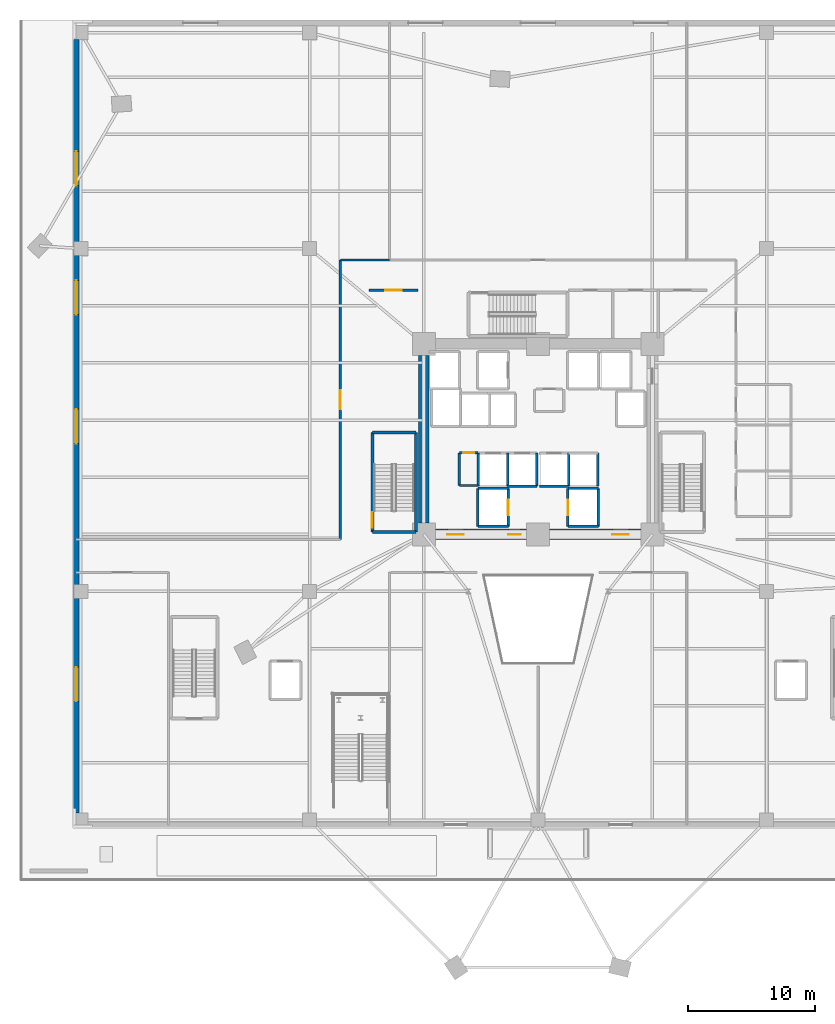
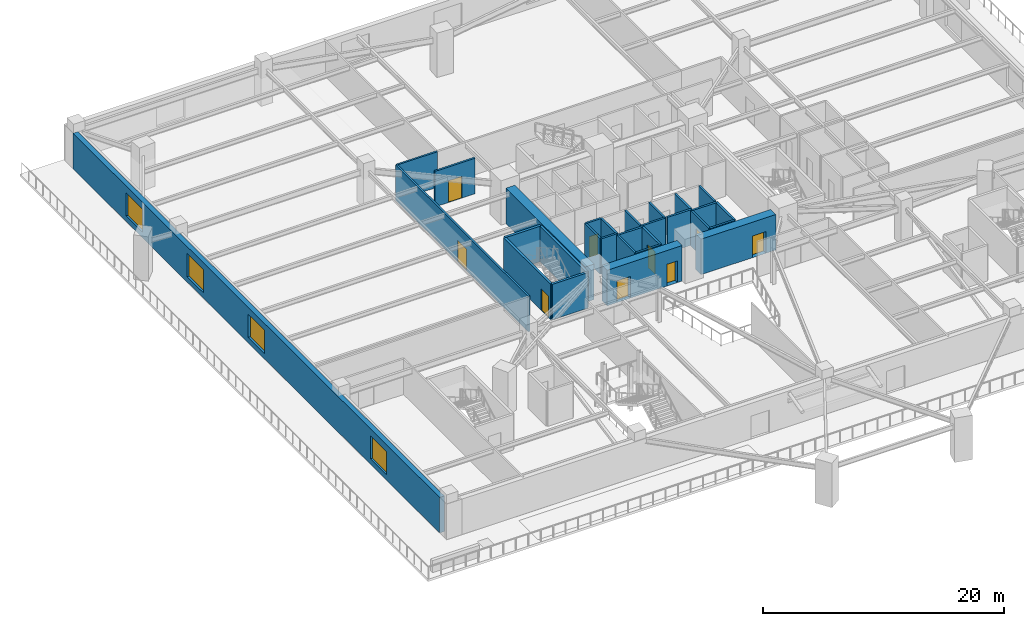
# One storey, part 8 of 19: 29 walls, 9 doors, 4 windows, 13 openings.
"""IFC4 building model written with IfcOpenShell, lengths in metres."""

from ifc_helpers import new_model, si_unit, direction, frame, frame_2d, origin, place, context, subcontext, project, spatial, rectangle, extrude, source, transform, mapped, material, layer, layer_set, type_object, element, fill, save


model = new_model("IFC4")

# Units and contexts
model_context = context("Model", 3, precision=1e-05, world=origin(), true_north=direction((0.0, 1.0)))
body_context = subcontext(model_context, "Body", "Model", "MODEL_VIEW")
ifc_project = project(units=[si_unit("LENGTHUNIT", "METRE"), si_unit("AREAUNIT", "SQUARE_METRE"), si_unit("VOLUMEUNIT", "CUBIC_METRE"), si_unit("PLANEANGLEUNIT", "RADIAN"), si_unit("MASSUNIT", "GRAM", prefix="KILO")], contexts=[model_context])

# Site, building, storey
site_placement = place(None, origin())
site = spatial("IfcSite", under=ifc_project, at=site_placement, CompositionType="ELEMENT")
building_placement = place(site_placement, origin())
building = spatial("IfcBuilding", under=site, at=building_placement, Name="Liaohun Quay Tower", CompositionType="ELEMENT")
storey_placement = place(building_placement, frame((0.0, 0.0, 18.89990234375)))
storey = spatial("IfcBuildingStorey", under=building, at=storey_placement, Name="L05", CompositionType="ELEMENT", Elevation=18.89990234375)

# Wall, opening, door
ifc_material_1 = material(Name="Concrete C60", Category="concrete")
ifc_layer_1 = layer(ifc_material_1, 0.85009765625, Name="Concrete C60", Category="concrete")
ifc_layer_set_1 = layer_set([ifc_layer_1], Name="Concrete C60")
wall_type_1 = type_object("IfcWallType", Name="WAL-COR-Z1", PredefinedType="SHEAR", material=ifc_layer_set_1)
wall_1_placement = place(storey_placement, frame((68.10009765625, 46.5, 0.0), z_axis=(0.0, 0.0, 1.0), x_axis=(-1.0, 0.0, 0.0)))
wall_1 = element("IfcWall", 1, at=wall_1_placement, inside=storey, type_object=wall_type_1, Name="L05 Central Core Shear Wall S-E", PredefinedType="SHEAR", context=body_context, shape_type="SweptSolid", body=[
    extrude(rectangle(XDim=7.2001953125, YDim=0.85009765625, at=frame_2d((3.60009765625, 0.0))), origin(), (0.0, 0.0, 1.0), 3.60009765625),
])
shared_shape_1 = source(origin(), body_context, "Body", "SweptSolid", [
    extrude(rectangle(XDim=1.300048828125, YDim=2.199951171875, at=frame_2d((0.64990234375, 1.10009765625))), frame((0.0, 0.43505859375, 0.0), z_axis=(0.0, -1.0, 0.0), x_axis=(1.0, 0.0, 0.0)), (0.0, 0.0, 1.0), 0.8701171875),
])
opening_1_placement = place(wall_1_placement, frame((0.949951171875, 0.0, 0.0)))
opening_1 = element("IfcOpeningElement", 2, at=opening_1_placement, cuts=wall_1, Name="Opening FD1", PredefinedType="OPENING", context=body_context, shape_type="MappedRepresentation", body=[
    mapped(shared_shape_1, transform((0.0, 0.0, 0.0), x_axis=(1.0, 0.0, 0.0), y_axis=(0.0, 1.0, 0.0), z_axis=(0.0, 0.0, 1.0), scale=1.0)),
])
ifc_material_2 = material(Name="Galvanised steel smokeproof fire door", Category="steel")
door_type_1 = type_object("IfcDoorType", Name="DOR-FFL-1300", OperationType="NOTDEFINED", PredefinedType="DOOR", material=ifc_material_2)
shared_shape_2 = source(origin(), body_context, "Body", "SweptSolid", [
    extrude(rectangle(XDim=1.300048828125, YDim=2.199951171875, at=frame_2d((0.64990234375, 1.10009765625))), frame((0.0, 0.02490234375, 0.0), z_axis=(0.0, -1.0, 0.0), x_axis=(1.0, 0.0, 0.0)), (0.0, 0.0, 1.0), 0.050048828125),
])
door_1_placement = place(opening_1_placement, origin())
door_1 = element("IfcDoor", 3, at=door_1_placement, inside=storey, type_object=door_type_1, Name="L05 East Core Lift Lobby Smokeproof Door", OperationType="SINGLE_SWING_LEFT", OverallHeight=2.199951171875, OverallWidth=1.300048828125, PredefinedType="DOOR", context=body_context, shape_type="MappedRepresentation", body=[
    mapped(shared_shape_2, transform((0.0, 0.0, 0.0), x_axis=(1.0, 0.0, 0.0), y_axis=(0.0, 1.0, 0.0), z_axis=(0.0, 0.0, 1.0), scale=1.0)),
])
fill(opening_1, door_1)

# Wall, openings, doors
wall_2_placement = place(storey_placement, frame((59.10009765625, 46.5, 0.0), z_axis=(0.0, 0.0, 1.0), x_axis=(-1.0, 0.0, 0.0)))
wall_2 = element("IfcWall", 4, at=wall_2_placement, inside=storey, type_object=wall_type_1, Name="L05 Central Core Shear Wall S-W", PredefinedType="SHEAR", context=body_context, shape_type="SweptSolid", body=[
    extrude(rectangle(XDim=7.2001953125, YDim=0.85009765625, at=frame_2d((3.60009765625, 0.0))), origin(), (0.0, 0.0, 1.0), 3.60009765625),
])
opening_2_placement = place(wall_2_placement, frame((4.949951171875, 0.0, 0.0)))
opening_2 = element("IfcOpeningElement", 5, at=opening_2_placement, cuts=wall_2, Name="Opening FD1", PredefinedType="OPENING", context=body_context, shape_type="MappedRepresentation", body=[
    mapped(shared_shape_1, transform((0.0, 0.0, 0.0), x_axis=(1.0, 0.0, 0.0), y_axis=(0.0, 1.0, 0.0), z_axis=(0.0, 0.0, 1.0), scale=1.0)),
])
shared_shape_3 = source(origin(), body_context, "Body", "SweptSolid", [
    extrude(rectangle(XDim=1.0, YDim=2.199951171875, at=frame_2d((0.5, 1.10009765625))), frame((0.0, 0.43505859375, 0.0), z_axis=(0.0, -1.0, 0.0), x_axis=(1.0, 0.0, 0.0)), (0.0, 0.0, 1.0), 0.8701171875),
])
opening_3_placement = place(wall_2_placement, frame((0.449951171875, 0.0, 0.0)))
opening_3 = element("IfcOpeningElement", 6, at=opening_3_placement, cuts=wall_2, Name="Opening FD2", PredefinedType="OPENING", context=body_context, shape_type="MappedRepresentation", body=[
    mapped(shared_shape_3, transform((0.0, 0.0, 0.0), x_axis=(1.0, 0.0, 0.0), y_axis=(0.0, 1.0, 0.0), z_axis=(0.0, 0.0, 1.0), scale=1.0)),
])
door_2_placement = place(opening_2_placement, origin())
door_2 = element("IfcDoor", 7, at=door_2_placement, inside=storey, type_object=door_type_1, Name="L05 West Core Lift Lobby Smokeproof Door", OperationType="SINGLE_SWING_RIGHT", OverallHeight=2.199951171875, OverallWidth=1.300048828125, PredefinedType="DOOR", context=body_context, shape_type="MappedRepresentation", body=[
    mapped(shared_shape_2, transform((0.0, 0.0, 0.0), x_axis=(1.0, 0.0, 0.0), y_axis=(0.0, 1.0, 0.0), z_axis=(0.0, 0.0, 1.0), scale=1.0)),
])
fill(opening_2, door_2)
ifc_material_3 = material(Name="Galvanised steel smokeproof lobby fire door", Category="steel")
door_type_2 = type_object("IfcDoorType", Name="DOR-FFL-1000", OperationType="NOTDEFINED", PredefinedType="DOOR", material=ifc_material_3)
shared_shape_4 = source(origin(), body_context, "Body", "SweptSolid", [
    extrude(rectangle(XDim=1.0, YDim=2.199951171875, at=frame_2d((0.5, 1.10009765625))), frame((0.0, 0.02490234375, 0.0), z_axis=(0.0, -1.0, 0.0), x_axis=(1.0, 0.0, 0.0)), (0.0, 0.0, 1.0), 0.050048828125),
])
door_3_placement = place(opening_3_placement, origin())
door_3 = element("IfcDoor", 8, at=door_3_placement, inside=storey, type_object=door_type_2, Name="L05 South Firefighting Lobby Smokeproof Door", OperationType="SINGLE_SWING_LEFT", OverallHeight=2.199951171875, OverallWidth=1.0, PredefinedType="DOOR", context=body_context, shape_type="MappedRepresentation", body=[
    mapped(shared_shape_4, transform((0.0, 0.0, 0.0), x_axis=(1.0, 0.0, 0.0), y_axis=(0.0, 1.0, 0.0), z_axis=(0.0, 0.0, 1.0), scale=1.0)),
])
fill(opening_3, door_3)

# Wall
wall_3_placement = place(storey_placement, frame((51.0, 47.39990234375, 0.0), z_axis=(0.0, 0.0, 1.0), x_axis=(0.0, 1.0, 0.0)))
element("IfcWall", 9, at=wall_3_placement, inside=storey, type_object=wall_type_1, Name="L05 Central Core Shear Wall W", PredefinedType="SHEAR", context=body_context, shape_type="SweptSolid", body=[
    extrude(rectangle(XDim=13.2001953125, YDim=0.85009765625, at=frame_2d((6.60009765625, 0.0))), origin(), (0.0, 0.0, 1.0), 3.60009765625),
])

# Wall, openings, windows
ifc_material_4 = material(Name="Precast concrete C50 with granite facing", Category="masonry")
ifc_layer_2 = layer(ifc_material_4, 0.4599609375, Name="Precast concrete C50 with granite facing", Category="masonry")
ifc_layer_set_2 = layer_set([ifc_layer_2], Name="Precast concrete C50 with granite facing")
wall_type_2 = type_object("IfcWallType", Name="WAL-EXT-POD", PredefinedType="SOLIDWALL", material=ifc_layer_set_2)
wall_4_placement = place(storey_placement, frame((23.6298828125, 85.4599609375, 0.0), z_axis=(0.0, 0.0, 1.0), x_axis=(0.0, -1.0, 0.0)))
wall_4 = element("IfcWall", 10, at=wall_4_placement, inside=storey, type_object=wall_type_2, Name="L05 Podium Precast Facade Wall 03", PredefinedType="SOLIDWALL", context=body_context, shape_type="SweptSolid", body=[
    extrude(rectangle(XDim=60.919921875, YDim=0.4599609375, at=frame_2d((30.4599609375, 0.0))), origin(), (0.0, 0.0, 1.0), 3.60009765625),
])
shared_shape_5 = source(origin(), body_context, "Body", "SweptSolid", [
    extrude(rectangle(XDim=2.699951171875, YDim=2.35009765625, at=frame_2d((1.35009765625, 1.175048828125))), frame((0.0, 0.239990234375, 0.0), z_axis=(0.0, -1.0, 0.0), x_axis=(1.0, 0.0, 0.0)), (0.0, 0.0, 1.0), 0.47998046875),
])
opening_4_placement = place(wall_4_placement, frame((8.802978515625, 0.0, 0.550048828125)))
opening_4 = element("IfcOpeningElement", 11, at=opening_4_placement, cuts=wall_4, Name="Opening W06", PredefinedType="OPENING", context=body_context, shape_type="MappedRepresentation", body=[
    mapped(shared_shape_5, transform((0.0, 0.0, 0.0), x_axis=(1.0, 0.0, 0.0), y_axis=(0.0, 1.0, 0.0), z_axis=(0.0, 0.0, 1.0), scale=1.0)),
])
opening_5_placement = place(wall_4_placement, frame((18.95703125, 0.0, 0.550048828125)))
opening_5 = element("IfcOpeningElement", 12, at=opening_5_placement, cuts=wall_4, Name="Opening W06", PredefinedType="OPENING", context=body_context, shape_type="MappedRepresentation", body=[
    mapped(shared_shape_5, transform((0.0, 0.0, 0.0), x_axis=(1.0, 0.0, 0.0), y_axis=(0.0, 1.0, 0.0), z_axis=(0.0, 0.0, 1.0), scale=1.0)),
])
opening_6_placement = place(wall_4_placement, frame((29.110107421875, 0.0, 0.550048828125)))
opening_6 = element("IfcOpeningElement", 13, at=opening_6_placement, cuts=wall_4, Name="Opening W06", PredefinedType="OPENING", context=body_context, shape_type="MappedRepresentation", body=[
    mapped(shared_shape_5, transform((0.0, 0.0, 0.0), x_axis=(1.0, 0.0, 0.0), y_axis=(0.0, 1.0, 0.0), z_axis=(0.0, 0.0, 1.0), scale=1.0)),
])
opening_7_placement = place(wall_4_placement, frame((49.4169921875, 0.0, 0.550048828125)))
opening_7 = element("IfcOpeningElement", 14, at=opening_7_placement, cuts=wall_4, Name="Opening W06", PredefinedType="OPENING", context=body_context, shape_type="MappedRepresentation", body=[
    mapped(shared_shape_5, transform((0.0, 0.0, 0.0), x_axis=(1.0, 0.0, 0.0), y_axis=(0.0, 1.0, 0.0), z_axis=(0.0, 0.0, 1.0), scale=1.0)),
])
ifc_material_5 = material(Name="Triple Low-E waterfront podium glazing", Category="glass")
window_type = type_object("IfcWindowType", Name="WIN-POD-ARC", PartitioningType="TRIPLE_PANEL_VERTICAL", PredefinedType="WINDOW", material=ifc_material_5)
shared_shape_6 = source(origin(), body_context, "Body", "SweptSolid", [
    extrude(rectangle(XDim=2.699951171875, YDim=2.35009765625, at=frame_2d((1.35009765625, 1.175048828125))), frame((0.0, 0.030029296875, 0.0), z_axis=(0.0, -1.0, 0.0), x_axis=(1.0, 0.0, 0.0)), (0.0, 0.0, 1.0), 0.06005859375),
])
window_1_placement = place(opening_4_placement, origin())
window_1 = element("IfcWindow", 15, at=window_1_placement, inside=storey, type_object=window_type, Name="L05 Podium Punched Window W06-03-01", OverallHeight=2.35009765625, OverallWidth=2.699951171875, PartitioningType="TRIPLE_PANEL_VERTICAL", PredefinedType="WINDOW", context=body_context, shape_type="MappedRepresentation", body=[
    mapped(shared_shape_6, transform((0.0, 0.0, 0.0), x_axis=(1.0, 0.0, 0.0), y_axis=(0.0, 1.0, 0.0), z_axis=(0.0, 0.0, 1.0), scale=1.0)),
])
fill(opening_4, window_1)
window_2_placement = place(opening_5_placement, origin())
window_2 = element("IfcWindow", 16, at=window_2_placement, inside=storey, type_object=window_type, Name="L05 Podium Punched Window W06-03-02", OverallHeight=2.35009765625, OverallWidth=2.699951171875, PartitioningType="TRIPLE_PANEL_VERTICAL", PredefinedType="WINDOW", context=body_context, shape_type="MappedRepresentation", body=[
    mapped(shared_shape_6, transform((0.0, 0.0, 0.0), x_axis=(1.0, 0.0, 0.0), y_axis=(0.0, 1.0, 0.0), z_axis=(0.0, 0.0, 1.0), scale=1.0)),
])
fill(opening_5, window_2)
window_3_placement = place(opening_6_placement, origin())
window_3 = element("IfcWindow", 17, at=window_3_placement, inside=storey, type_object=window_type, Name="L05 Podium Punched Window W06-03-03", OverallHeight=2.35009765625, OverallWidth=2.699951171875, PartitioningType="TRIPLE_PANEL_VERTICAL", PredefinedType="WINDOW", context=body_context, shape_type="MappedRepresentation", body=[
    mapped(shared_shape_6, transform((0.0, 0.0, 0.0), x_axis=(1.0, 0.0, 0.0), y_axis=(0.0, 1.0, 0.0), z_axis=(0.0, 0.0, 1.0), scale=1.0)),
])
fill(opening_6, window_3)
window_4_placement = place(opening_7_placement, origin())
window_4 = element("IfcWindow", 18, at=window_4_placement, inside=storey, type_object=window_type, Name="L05 Podium Punched Window W06-03-05", OverallHeight=2.35009765625, OverallWidth=2.699951171875, PartitioningType="TRIPLE_PANEL_VERTICAL", PredefinedType="WINDOW", context=body_context, shape_type="MappedRepresentation", body=[
    mapped(shared_shape_6, transform((0.0, 0.0, 0.0), x_axis=(1.0, 0.0, 0.0), y_axis=(0.0, 1.0, 0.0), z_axis=(0.0, 0.0, 1.0), scale=1.0)),
])
fill(opening_7, window_4)

# Wall, opening, door
ifc_material_6 = material(Name="Autoclaved aerated concrete blockwork", Category="masonry")
ifc_layer_3 = layer(ifc_material_6, 0.179931640625, Name="Autoclaved aerated concrete blockwork", Category="masonry")
ifc_layer_set_3 = layer_set([ifc_layer_3], Name="Autoclaved aerated concrete blockwork")
wall_type_3 = type_object("IfcWallType", Name="WAL-PRT-COR", PredefinedType="PARTITIONING", material=ifc_layer_set_3)
wall_5_placement = place(storey_placement, frame((53.820068359375, 52.919921875, 0.0), z_axis=(0.0, 0.0, 1.0), x_axis=(1.0, 0.0, 0.0)))
wall_5 = element("IfcWall", 19, at=wall_5_placement, inside=storey, type_object=wall_type_3, Name="L05 Interior Partition Wall 002", PredefinedType="PARTITIONING", context=body_context, shape_type="SweptSolid", body=[
    extrude(rectangle(XDim=1.429931640625, YDim=0.179931640625, at=frame_2d((0.71484375, 0.0))), origin(), (0.0, 0.0, 1.0), 3.60009765625),
])
shared_shape_7 = source(origin(), body_context, "Body", "SweptSolid", [
    extrude(rectangle(XDim=0.85009765625, YDim=2.10009765625, at=frame_2d((0.425048828125, 1.050048828125))), frame((0.0, 0.099853515625, 0.0), z_axis=(0.0, -1.0, 0.0), x_axis=(1.0, 0.0, 0.0)), (0.0, 0.0, 1.0), 0.199951171875),
])
opening_8_placement = place(wall_5_placement, frame((0.2900390625, 0.0, 0.0)))
opening_8 = element("IfcOpeningElement", 20, at=opening_8_placement, cuts=wall_5, Name="Opening AD1", PredefinedType="OPENING", context=body_context, shape_type="MappedRepresentation", body=[
    mapped(shared_shape_7, transform((0.0, 0.0, 0.0), x_axis=(1.0, 0.0, 0.0), y_axis=(0.0, 1.0, 0.0), z_axis=(0.0, 0.0, 1.0), scale=1.0)),
])
ifc_material_7 = material(Name="Steel riser inspection fire door", Category="steel")
door_type_3 = type_object("IfcDoorType", Name="DOR-SHF-850", OperationType="NOTDEFINED", PredefinedType="DOOR", material=ifc_material_7)
shared_shape_8 = source(origin(), body_context, "Body", "SweptSolid", [
    extrude(rectangle(XDim=0.85009765625, YDim=2.10009765625, at=frame_2d((0.425048828125, 1.050048828125))), frame((0.0, 0.02490234375, 0.0), z_axis=(0.0, -1.0, 0.0), x_axis=(1.0, 0.0, 0.0)), (0.0, 0.0, 1.0), 0.050048828125),
])
door_4_placement = place(opening_8_placement, origin())
door_4 = element("IfcDoor", 21, at=door_4_placement, inside=storey, type_object=door_type_3, Name="L05 Mechanical Smoke Duct Room Door", OperationType="SINGLE_SWING_LEFT", OverallHeight=2.10009765625, OverallWidth=0.85009765625, PredefinedType="DOOR", context=body_context, shape_type="MappedRepresentation", body=[
    mapped(shared_shape_8, transform((0.0, 0.0, 0.0), x_axis=(1.0, 0.0, 0.0), y_axis=(0.0, 1.0, 0.0), z_axis=(0.0, 0.0, 1.0), scale=1.0)),
])
fill(opening_8, door_4)

wall_6_placement = place(storey_placement, frame((46.699951171875, 65.719970703125, 0.0), z_axis=(0.0, 0.0, 1.0), x_axis=(1.0, 0.0, 0.0)))
wall_6 = element("IfcWall", 22, at=wall_6_placement, inside=storey, type_object=wall_type_3, Name="L05 Interior Partition Wall 008", PredefinedType="PARTITIONING", context=body_context, shape_type="SweptSolid", body=[
    extrude(rectangle(XDim=3.840087890625, YDim=0.179931640625, at=frame_2d((1.919921875, 0.0))), origin(), (0.0, 0.0, 1.0), 3.60009765625),
])
shared_shape_9 = source(origin(), body_context, "Body", "SweptSolid", [
    extrude(rectangle(XDim=1.300048828125, YDim=2.199951171875, at=frame_2d((0.64990234375, 1.10009765625))), frame((0.0, 0.099853515625, 0.0), z_axis=(0.0, -1.0, 0.0), x_axis=(1.0, 0.0, 0.0)), (0.0, 0.0, 1.0), 0.199951171875),
])
opening_9_placement = place(wall_6_placement, frame((1.27001953125, 0.0, 0.0)))
opening_9 = element("IfcOpeningElement", 23, at=opening_9_placement, cuts=wall_6, Name="Opening FD1", PredefinedType="OPENING", context=body_context, shape_type="MappedRepresentation", body=[
    mapped(shared_shape_9, transform((0.0, 0.0, 0.0), x_axis=(1.0, 0.0, 0.0), y_axis=(0.0, 1.0, 0.0), z_axis=(0.0, 0.0, 1.0), scale=1.0)),
])
door_5_placement = place(opening_9_placement, origin())
door_5 = element("IfcDoor", 24, at=door_5_placement, inside=storey, type_object=door_type_1, Name="L05 Podium West Core Vestibule Door", OperationType="SINGLE_SWING_LEFT", OverallHeight=2.199951171875, OverallWidth=1.300048828125, PredefinedType="DOOR", context=body_context, shape_type="MappedRepresentation", body=[
    mapped(shared_shape_2, transform((0.0, 0.0, 0.0), x_axis=(1.0, 0.0, 0.0), y_axis=(0.0, 1.0, 0.0), z_axis=(0.0, 0.0, 1.0), scale=1.0)),
])
fill(opening_9, door_5)

wall_7_placement = place(storey_placement, frame((44.419921875, 46.10009765625, 0.0), z_axis=(0.0, 0.0, 1.0), x_axis=(0.0, 1.0, 0.0)))
wall_7 = element("IfcWall", 25, at=wall_7_placement, inside=storey, type_object=wall_type_3, Name="L05 Interior Partition Wall 014", PredefinedType="PARTITIONING", context=body_context, shape_type="SweptSolid", body=[
    extrude(rectangle(XDim=22.0, YDim=0.179931640625, at=frame_2d((11.0, 0.0))), origin(), (0.0, 0.0, 1.0), 3.60009765625),
])
shared_shape_10 = source(origin(), body_context, "Body", "SweptSolid", [
    extrude(rectangle(XDim=1.5, YDim=2.199951171875, at=frame_2d((0.75, 1.10009765625))), frame((0.0, 0.099853515625, 0.0), z_axis=(0.0, -1.0, 0.0), x_axis=(1.0, 0.0, 0.0)), (0.0, 0.0, 1.0), 0.199951171875),
])
opening_10_placement = place(wall_7_placement, frame((10.25, 0.0, 0.0)))
opening_10 = element("IfcOpeningElement", 26, at=opening_10_placement, cuts=wall_7, Name="Opening OD2", PredefinedType="OPENING", context=body_context, shape_type="MappedRepresentation", body=[
    mapped(shared_shape_10, transform((0.0, 0.0, 0.0), x_axis=(1.0, 0.0, 0.0), y_axis=(0.0, 1.0, 0.0), z_axis=(0.0, 0.0, 1.0), scale=1.0)),
])
ifc_material_8 = material(Name="Acoustic oak veneer double door")
door_type_4 = type_object("IfcDoorType", Name="DOR-OFF-1500", OperationType="DOUBLE_DOOR_SINGLE_SWING", PredefinedType="DOOR", material=ifc_material_8)
shared_shape_11 = source(origin(), body_context, "Body", "SweptSolid", [
    extrude(rectangle(XDim=1.5, YDim=2.199951171875, at=frame_2d((0.75, 1.10009765625))), frame((0.0, 0.02490234375, 0.0), z_axis=(0.0, -1.0, 0.0), x_axis=(1.0, 0.0, 0.0)), (0.0, 0.0, 1.0), 0.050048828125),
])
door_6_placement = place(opening_10_placement, origin())
door_6 = element("IfcDoor", 27, at=door_6_placement, inside=storey, type_object=door_type_4, Name="L05 Project Design Studio Door", OperationType="DOUBLE_DOOR_SINGLE_SWING", OverallHeight=2.199951171875, OverallWidth=1.5, PredefinedType="DOOR", context=body_context, shape_type="MappedRepresentation", body=[
    mapped(shared_shape_11, transform((0.0, 0.0, 0.0), x_axis=(1.0, 0.0, 0.0), y_axis=(0.0, 1.0, 0.0), z_axis=(0.0, 0.0, 1.0), scale=1.0)),
])
fill(opening_10, door_6)

# Walls
wall_8_placement = place(storey_placement, frame((53.7900390625, 50.35009765625, 0.0), z_axis=(0.0, 0.0, 1.0), x_axis=(0.0, 1.0, 0.0)))
element("IfcWall", 28, at=wall_8_placement, inside=storey, type_object=wall_type_3, Name="L05 Interior Partition Wall 020", PredefinedType="PARTITIONING", context=body_context, shape_type="SweptSolid", body=[
    extrude(rectangle(XDim=2.56982421875, YDim=0.179931640625, at=frame_2d((1.284912109375, 0.0))), origin(), (0.0, 0.0, 1.0), 3.60009765625),
])
wall_9_placement = place(storey_placement, frame((53.7900390625, 50.35009765625, 0.0), z_axis=(0.0, 0.0, 1.0), x_axis=(1.0, 0.0, 0.0)))
element("IfcWall", 29, at=wall_9_placement, inside=storey, type_object=wall_type_3, Name="L05 Interior Partition Wall 021", PredefinedType="PARTITIONING", context=body_context, shape_type="SweptSolid", body=[
    extrude(rectangle(XDim=1.489990234375, YDim=0.179931640625, at=frame_2d((0.7451171875, 0.0))), origin(), (0.0, 0.0, 1.0), 3.60009765625),
])
wall_10_placement = place(storey_placement, frame((44.419921875, 68.10009765625, 0.0), z_axis=(0.0, 0.0, 1.0), x_axis=(1.0, 0.0, 0.0)))
element("IfcWall", 30, at=wall_10_placement, inside=storey, type_object=wall_type_3, Name="L05 Interior Partition Wall 029", PredefinedType="PARTITIONING", context=body_context, shape_type="SweptSolid", body=[
    extrude(rectangle(XDim=3.880126953125, YDim=0.179931640625, at=frame_2d((1.93994140625, 0.0))), origin(), (0.0, 0.0, 1.0), 3.60009765625),
])
ifc_material_9 = material(Name="Concrete C50", Category="concrete")
ifc_layer_4 = layer(ifc_material_9, 0.239990234375, Name="Concrete C50", Category="concrete")
ifc_layer_set_4 = layer_set([ifc_layer_4], Name="Concrete C50")
wall_type_4 = type_object("IfcWallType", Name="WAL-SHF-200", PredefinedType="SOLIDWALL", material=ifc_layer_set_4)
wall_11_placement = place(storey_placement, frame((46.93994140625, 46.699951171875, 0.0), z_axis=(0.0, 0.0, 1.0), x_axis=(1.0, 0.0, 0.0)))
element("IfcWall", 31, at=wall_11_placement, inside=storey, type_object=wall_type_4, Name="L05 Stairwell ST-1 Structural Core Wall S", PredefinedType="SOLIDWALL", context=body_context, shape_type="SweptSolid", body=[
    extrude(rectangle(XDim=3.43994140625, YDim=0.239990234375, at=frame_2d((1.719970703125, 0.0))), origin(), (0.0, 0.0, 1.0), 3.60009765625),
])
wall_12_placement = place(storey_placement, frame((50.3798828125, 46.699951171875, 0.0), z_axis=(0.0, 0.0, 1.0), x_axis=(0.0, 1.0, 0.0)))
element("IfcWall", 32, at=wall_12_placement, inside=storey, type_object=wall_type_4, Name="L05 Stairwell ST-1 Structural Core Wall E", PredefinedType="SOLIDWALL", context=body_context, shape_type="SweptSolid", body=[
    extrude(rectangle(XDim=7.820068359375, YDim=0.239990234375, at=frame_2d((3.91015625, 0.0))), origin(), (0.0, 0.0, 1.0), 3.60009765625),
])
wall_13_placement = place(storey_placement, frame((50.3798828125, 54.52001953125, 0.0), z_axis=(0.0, 0.0, 1.0), x_axis=(-1.0, 0.0, 0.0)))
element("IfcWall", 33, at=wall_13_placement, inside=storey, type_object=wall_type_4, Name="L05 Stairwell ST-1 Structural Core Wall N", PredefinedType="SOLIDWALL", context=body_context, shape_type="SweptSolid", body=[
    extrude(rectangle(XDim=3.43994140625, YDim=0.239990234375, at=frame_2d((1.719970703125, 0.0))), origin(), (0.0, 0.0, 1.0), 3.60009765625),
])

# Wall, opening, door
wall_14_placement = place(storey_placement, frame((46.93994140625, 54.52001953125, 0.0), z_axis=(0.0, 0.0, 1.0), x_axis=(0.0, -1.0, 0.0)))
wall_14 = element("IfcWall", 34, at=wall_14_placement, inside=storey, type_object=wall_type_4, Name="L05 Stairwell ST-1 Structural Core Wall W", PredefinedType="SOLIDWALL", context=body_context, shape_type="SweptSolid", body=[
    extrude(rectangle(XDim=7.820068359375, YDim=0.239990234375, at=frame_2d((3.91015625, 0.0))), origin(), (0.0, 0.0, 1.0), 3.60009765625),
])
shared_shape_12 = source(origin(), body_context, "Body", "SweptSolid", [
    extrude(rectangle(XDim=1.199951171875, YDim=2.199951171875, at=frame_2d((0.60009765625, 1.10009765625))), frame((0.0, 0.1298828125, 0.0), z_axis=(0.0, -1.0, 0.0), x_axis=(1.0, 0.0, 0.0)), (0.0, 0.0, 1.0), 0.260009765625),
])
opening_11_placement = place(wall_14_placement, frame((6.300048828125, 0.0, 0.0)))
opening_11 = element("IfcOpeningElement", 35, at=opening_11_placement, cuts=wall_14, Name="Opening SD1", PredefinedType="OPENING", context=body_context, shape_type="MappedRepresentation", body=[
    mapped(shared_shape_12, transform((0.0, 0.0, 0.0), x_axis=(1.0, 0.0, 0.0), y_axis=(0.0, 1.0, 0.0), z_axis=(0.0, 0.0, 1.0), scale=1.0)),
])
ifc_material_10 = material(Name="Galvanised steel fire door", Category="steel")
door_type_5 = type_object("IfcDoorType", Name="DOR-STR-1200", OperationType="NOTDEFINED", PredefinedType="DOOR", material=ifc_material_10)
shared_shape_13 = source(origin(), body_context, "Body", "SweptSolid", [
    extrude(rectangle(XDim=1.199951171875, YDim=2.199951171875, at=frame_2d((0.60009765625, 1.10009765625))), frame((0.0, 0.02490234375, 0.0), z_axis=(0.0, -1.0, 0.0), x_axis=(1.0, 0.0, 0.0)), (0.0, 0.0, 1.0), 0.050048828125),
])
door_7_placement = place(opening_11_placement, origin())
door_7 = element("IfcDoor", 36, at=door_7_placement, inside=storey, type_object=door_type_5, Name="L05 Protected Stair ST-1 Fire Door", OperationType="SINGLE_SWING_LEFT", OverallHeight=2.199951171875, OverallWidth=1.199951171875, PredefinedType="DOOR", context=body_context, shape_type="MappedRepresentation", body=[
    mapped(shared_shape_13, transform((0.0, 0.0, 0.0), x_axis=(1.0, 0.0, 0.0), y_axis=(0.0, 1.0, 0.0), z_axis=(0.0, 0.0, 1.0), scale=1.0)),
])
fill(opening_11, door_7)

# Wall
wall_15_placement = place(storey_placement, frame((55.25, 47.1201171875, 0.0), z_axis=(0.0, 0.0, 1.0), x_axis=(1.0, 0.0, 0.0)))
element("IfcWall", 37, at=wall_15_placement, inside=storey, type_object=wall_type_4, Name="L05 Lift FF-01 Hoistway Wall S", PredefinedType="SOLIDWALL", context=body_context, shape_type="SweptSolid", body=[
    extrude(rectangle(XDim=2.39990234375, YDim=0.199951171875, at=frame_2d((1.199951171875, 0.0))), origin(), (0.0, 0.0, 1.0), 3.60009765625),
])

# Wall, opening, door
wall_16_placement = place(storey_placement, frame((57.64990234375, 47.1201171875, 0.0), z_axis=(0.0, 0.0, 1.0), x_axis=(0.0, 1.0, 0.0)))
wall_16 = element("IfcWall", 38, at=wall_16_placement, inside=storey, type_object=wall_type_4, Name="L05 Lift FF-01 Hoistway Wall E", PredefinedType="SOLIDWALL", context=body_context, shape_type="SweptSolid", body=[
    extrude(rectangle(XDim=3.0, YDim=0.199951171875, at=frame_2d((1.5, 0.0))), origin(), (0.0, 0.0, 1.0), 3.60009765625),
])
shared_shape_14 = source(origin(), body_context, "Body", "SweptSolid", [
    extrude(rectangle(XDim=1.199951171875, YDim=2.300048828125, at=frame_2d((0.60009765625, 1.14990234375))), frame((0.0, 0.10986328125, 0.0), z_axis=(0.0, -1.0, 0.0), x_axis=(1.0, 0.0, 0.0)), (0.0, 0.0, 1.0), 0.219970703125),
])
opening_12_placement = place(wall_16_placement, frame((0.89990234375, 0.0, 0.0)))
opening_12 = element("IfcOpeningElement", 39, at=opening_12_placement, cuts=wall_16, Name="Opening LD2", PredefinedType="OPENING", context=body_context, shape_type="MappedRepresentation", body=[
    mapped(shared_shape_14, transform((0.0, 0.0, 0.0), x_axis=(1.0, 0.0, 0.0), y_axis=(0.0, 1.0, 0.0), z_axis=(0.0, 0.0, 1.0), scale=1.0)),
])
ifc_material_11 = material(Name="Brushed stainless steel stretcher landing door", Category="steel")
door_type_6 = type_object("IfcDoorType", Name="DOR-LFT-1200", OperationType="SLIDING_TO_LEFT", PredefinedType="DOOR", material=ifc_material_11)
shared_shape_15 = source(origin(), body_context, "Body", "SweptSolid", [
    extrude(rectangle(XDim=1.199951171875, YDim=2.300048828125, at=frame_2d((0.60009765625, 1.14990234375))), frame((0.0, 0.02490234375, 0.0), z_axis=(0.0, -1.0, 0.0), x_axis=(1.0, 0.0, 0.0)), (0.0, 0.0, 1.0), 0.050048828125),
])
door_8_placement = place(opening_12_placement, origin())
door_8 = element("IfcDoor", 40, at=door_8_placement, inside=storey, type_object=door_type_6, Name="L05 Lift FF-01 Sliding Landing Door", OperationType="SLIDING_TO_LEFT", OverallHeight=2.300048828125, OverallWidth=1.199951171875, PredefinedType="DOOR", context=body_context, shape_type="MappedRepresentation", body=[
    mapped(shared_shape_15, transform((0.0, 0.0, 0.0), x_axis=(1.0, 0.0, 0.0), y_axis=(0.0, 1.0, 0.0), z_axis=(0.0, 0.0, 1.0), scale=1.0)),
])
fill(opening_12, door_8)

# Walls
wall_17_placement = place(storey_placement, frame((57.64990234375, 50.1201171875, 0.0), z_axis=(0.0, 0.0, 1.0), x_axis=(-1.0, 0.0, 0.0)))
element("IfcWall", 41, at=wall_17_placement, inside=storey, type_object=wall_type_4, Name="L05 Lift FF-01 Hoistway Wall N", PredefinedType="SOLIDWALL", context=body_context, shape_type="SweptSolid", body=[
    extrude(rectangle(XDim=2.39990234375, YDim=0.199951171875, at=frame_2d((1.199951171875, 0.0))), origin(), (0.0, 0.0, 1.0), 3.60009765625),
])
wall_18_placement = place(storey_placement, frame((55.25, 50.1201171875, 0.0), z_axis=(0.0, 0.0, 1.0), x_axis=(0.0, -1.0, 0.0)))
element("IfcWall", 42, at=wall_18_placement, inside=storey, type_object=wall_type_4, Name="L05 Lift FF-01 Hoistway Wall W", PredefinedType="SOLIDWALL", context=body_context, shape_type="SweptSolid", body=[
    extrude(rectangle(XDim=3.0, YDim=0.199951171875, at=frame_2d((1.5, 0.0))), origin(), (0.0, 0.0, 1.0), 3.60009765625),
])
wall_19_placement = place(storey_placement, frame((62.35009765625, 47.1201171875, 0.0), z_axis=(0.0, 0.0, 1.0), x_axis=(1.0, 0.0, 0.0)))
element("IfcWall", 43, at=wall_19_placement, inside=storey, type_object=wall_type_4, Name="L05 Lift FF-02 Hoistway Wall S", PredefinedType="SOLIDWALL", context=body_context, shape_type="SweptSolid", body=[
    extrude(rectangle(XDim=2.39990234375, YDim=0.199951171875, at=frame_2d((1.199951171875, 0.0))), origin(), (0.0, 0.0, 1.0), 3.60009765625),
])
wall_20_placement = place(storey_placement, frame((64.75, 47.1201171875, 0.0), z_axis=(0.0, 0.0, 1.0), x_axis=(0.0, 1.0, 0.0)))
element("IfcWall", 44, at=wall_20_placement, inside=storey, type_object=wall_type_4, Name="L05 Lift FF-02 Hoistway Wall E", PredefinedType="SOLIDWALL", context=body_context, shape_type="SweptSolid", body=[
    extrude(rectangle(XDim=3.0, YDim=0.199951171875, at=frame_2d((1.5, 0.0))), origin(), (0.0, 0.0, 1.0), 3.60009765625),
])
wall_21_placement = place(storey_placement, frame((64.75, 50.1201171875, 0.0), z_axis=(0.0, 0.0, 1.0), x_axis=(-1.0, 0.0, 0.0)))
element("IfcWall", 45, at=wall_21_placement, inside=storey, type_object=wall_type_4, Name="L05 Lift FF-02 Hoistway Wall N", PredefinedType="SOLIDWALL", context=body_context, shape_type="SweptSolid", body=[
    extrude(rectangle(XDim=2.39990234375, YDim=0.199951171875, at=frame_2d((1.199951171875, 0.0))), origin(), (0.0, 0.0, 1.0), 3.60009765625),
])

# Wall, opening, door
wall_22_placement = place(storey_placement, frame((62.35009765625, 50.1201171875, 0.0), z_axis=(0.0, 0.0, 1.0), x_axis=(0.0, -1.0, 0.0)))
wall_22 = element("IfcWall", 46, at=wall_22_placement, inside=storey, type_object=wall_type_4, Name="L05 Lift FF-02 Hoistway Wall W", PredefinedType="SOLIDWALL", context=body_context, shape_type="SweptSolid", body=[
    extrude(rectangle(XDim=3.0, YDim=0.199951171875, at=frame_2d((1.5, 0.0))), origin(), (0.0, 0.0, 1.0), 3.60009765625),
])
opening_13_placement = place(wall_22_placement, frame((0.89990234375, 0.0, 0.0)))
opening_13 = element("IfcOpeningElement", 47, at=opening_13_placement, cuts=wall_22, Name="Opening LD2", PredefinedType="OPENING", context=body_context, shape_type="MappedRepresentation", body=[
    mapped(shared_shape_14, transform((0.0, 0.0, 0.0), x_axis=(1.0, 0.0, 0.0), y_axis=(0.0, 1.0, 0.0), z_axis=(0.0, 0.0, 1.0), scale=1.0)),
])
door_9_placement = place(opening_13_placement, origin())
door_9 = element("IfcDoor", 48, at=door_9_placement, inside=storey, type_object=door_type_6, Name="L05 Lift FF-02 Sliding Landing Door", OperationType="SLIDING_TO_LEFT", OverallHeight=2.300048828125, OverallWidth=1.199951171875, PredefinedType="DOOR", context=body_context, shape_type="MappedRepresentation", body=[
    mapped(shared_shape_15, transform((0.0, 0.0, 0.0), x_axis=(1.0, 0.0, 0.0), y_axis=(0.0, 1.0, 0.0), z_axis=(0.0, 0.0, 1.0), scale=1.0)),
])
fill(opening_13, door_9)

# Walls
for number, where, z_axis, x_axis, name in (
    (49, (57.60009765625, 50.300048828125, 0.0), (0.0, 0.0, 1.0), (0.0, 1.0, 0.0), "L05 Lift PL-1A Hoistway Wall E"),
    (50, (55.300048828125, 52.89990234375, 0.0), (0.0, 0.0, 1.0), (0.0, -1.0, 0.0), "L05 Lift PL-1A Hoistway Wall W"),
):
    element("IfcWall", number, at=place(storey_placement, frame(where, z_axis=z_axis, x_axis=x_axis)), inside=storey, type_object=wall_type_4, Name=name, PredefinedType="SOLIDWALL", context=body_context, shape_type="SweptSolid", body=[
        extrude(rectangle(XDim=2.599853515625, YDim=0.199951171875, at=frame_2d((1.2998046875, 0.0))), origin(), (0.0, 0.0, 1.0), 3.60009765625),
    ])
wall_23_placement = place(storey_placement, frame((57.60009765625, 50.300048828125, 0.0), z_axis=(0.0, 0.0, 1.0), x_axis=(1.0, 0.0, 0.0)))
element("IfcWall", 51, at=wall_23_placement, inside=storey, type_object=wall_type_4, Name="L05 Lift PL-1B Hoistway Wall S", PredefinedType="SOLIDWALL", context=body_context, shape_type="SweptSolid", body=[
    extrude(rectangle(XDim=2.2998046875, YDim=0.199951171875, at=frame_2d((1.14990234375, 0.0))), origin(), (0.0, 0.0, 1.0), 3.60009765625),
])
wall_24_placement = place(storey_placement, frame((59.89990234375, 50.300048828125, 0.0), z_axis=(0.0, 0.0, 1.0), x_axis=(0.0, 1.0, 0.0)))
element("IfcWall", 52, at=wall_24_placement, inside=storey, type_object=wall_type_4, Name="L05 Lift PL-1B Hoistway Wall E", PredefinedType="SOLIDWALL", context=body_context, shape_type="SweptSolid", body=[
    extrude(rectangle(XDim=2.599853515625, YDim=0.199951171875, at=frame_2d((1.2998046875, 0.0))), origin(), (0.0, 0.0, 1.0), 3.60009765625),
])
wall_25_placement = place(storey_placement, frame((60.10009765625, 50.300048828125, 0.0), z_axis=(0.0, 0.0, 1.0), x_axis=(1.0, 0.0, 0.0)))
element("IfcWall", 53, at=wall_25_placement, inside=storey, type_object=wall_type_4, Name="L05 Lift PL-1C Hoistway Wall S", PredefinedType="SOLIDWALL", context=body_context, shape_type="SweptSolid", body=[
    extrude(rectangle(XDim=2.2998046875, YDim=0.199951171875, at=frame_2d((1.14990234375, 0.0))), origin(), (0.0, 0.0, 1.0), 3.60009765625),
])
for number, where, z_axis, x_axis, name in (
    (54, (62.39990234375, 50.300048828125, 0.0), (0.0, 0.0, 1.0), (0.0, 1.0, 0.0), "L05 Lift PL-1C Hoistway Wall E"),
    (55, (64.699951171875, 50.300048828125, 0.0), (0.0, 0.0, 1.0), (0.0, 1.0, 0.0), "L05 Lift PL-2A Hoistway Wall E"),
):
    element("IfcWall", number, at=place(storey_placement, frame(where, z_axis=z_axis, x_axis=x_axis)), inside=storey, type_object=wall_type_4, Name=name, PredefinedType="SOLIDWALL", context=body_context, shape_type="SweptSolid", body=[
        extrude(rectangle(XDim=2.599853515625, YDim=0.199951171875, at=frame_2d((1.2998046875, 0.0))), origin(), (0.0, 0.0, 1.0), 3.60009765625),
    ])

save(model, "model.ifc")
